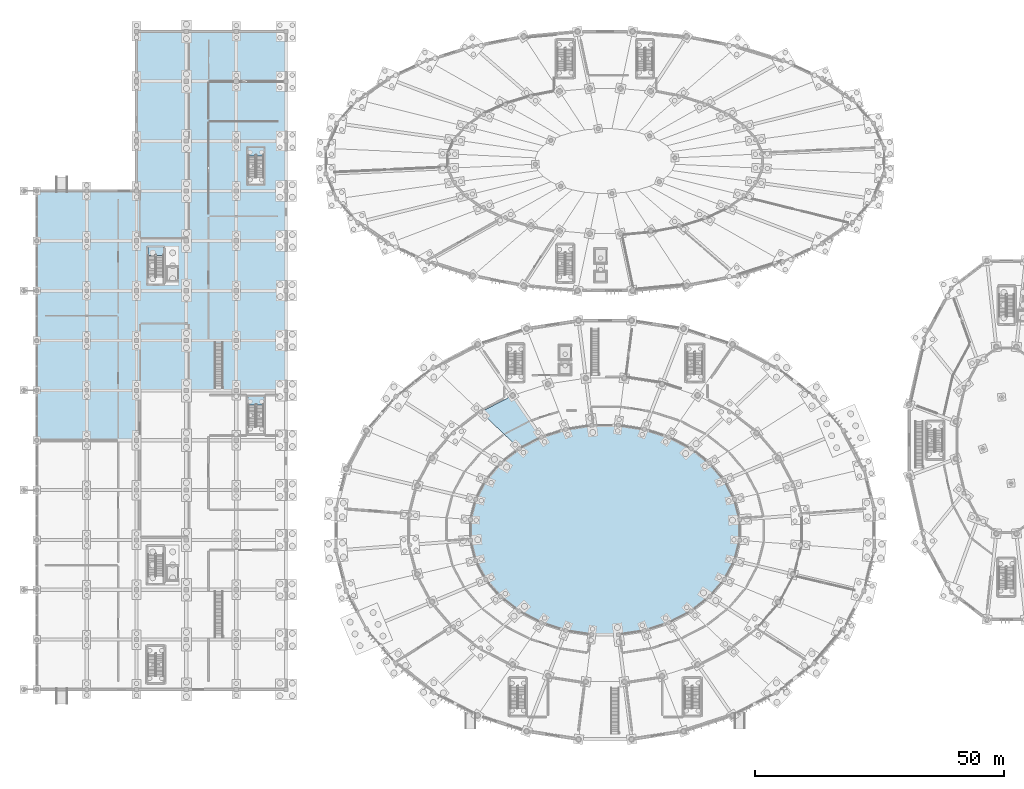
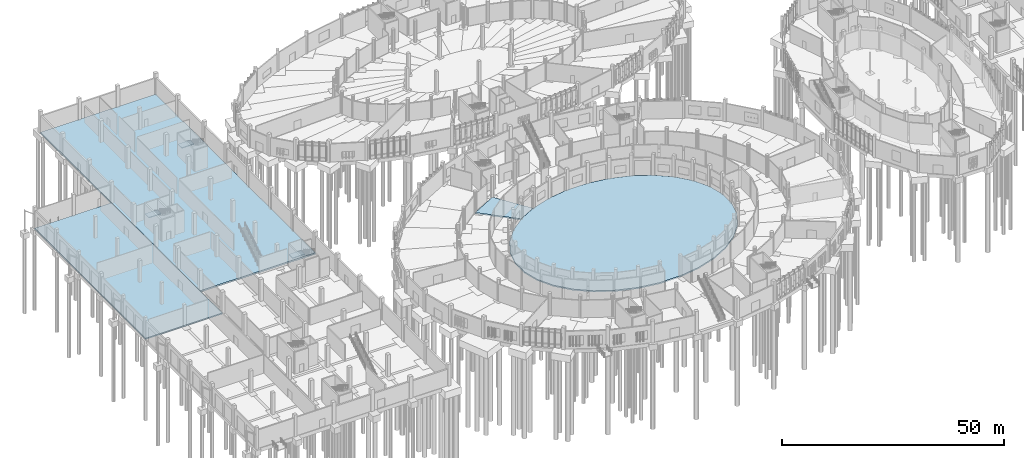
# One storey, part 59 of 140: 7 slabs, 3 elements without a shape of their own.
"""IFC4 building model written with IfcOpenShell, lengths in metres."""

from ifc_helpers import new_model, si_unit, direction, frame, origin, place, context, subcontext, project, spatial, polyline, outline, extrude, material, layer, layer_set, type_object, element, aggregate, save


model = new_model("IFC4")

# Units and contexts
model_context = context("Model", 3, precision=1e-05, world=origin(), true_north=direction((0.0, 1.0)))
body_context = subcontext(model_context, "Body", "Model", "MODEL_VIEW")
ifc_project = project(units=[si_unit("LENGTHUNIT", "METRE"), si_unit("AREAUNIT", "SQUARE_METRE"), si_unit("VOLUMEUNIT", "CUBIC_METRE"), si_unit("PLANEANGLEUNIT", "RADIAN"), si_unit("MASSUNIT", "GRAM", prefix="KILO")], contexts=[model_context])

# Site, building, storey
site_placement = place(None, origin())
site = spatial("IfcSite", under=ifc_project, at=site_placement, CompositionType="ELEMENT")
building_placement = place(site_placement, origin())
building = spatial("IfcBuilding", under=site, at=building_placement, Name="Corvandel Quay Wholesale Market", CompositionType="ELEMENT")
storey_placement = place(building_placement, origin())
storey = spatial("IfcBuildingStorey", under=building, at=storey_placement, Name="L00", CompositionType="ELEMENT", Elevation=0.0)

# Slabs
ifc_material = material(Name="Concrete C40/50", Category="concrete")
ifc_layer_1 = layer(ifc_material, 0.35009765625)
ifc_layer_set_1 = layer_set([ifc_layer_1], Name="Concrete C40/50")
slab_type_1 = type_object("IfcSlabType", Name="Ground Bearing Base Slab 350", PredefinedType="BASESLAB", material=ifc_layer_set_1)
slab_1_placement = place(storey_placement, frame((0.0, 0.0, -0.35009765625)))
element("IfcSlab", 1, at=slab_1_placement, inside=storey, type_object=slab_type_1, Name="Slab SLB-0003", PredefinedType="BASESLAB", context=body_context, shape_type="SweptSolid", body=[
    extrude(outline(polyline([(141.0, 44.068115234375), (139.9619140625, 48.125), (137.927001953125, 51.947021484375), (134.971923828125, 55.386962890625), (131.2109375, 58.31201171875), (126.7890625, 60.610107421875), (121.8759765625, 62.193115234375), (116.658935546875, 63.0), (111.341064453125, 63.0), (106.1240234375, 62.193115234375), (101.2109375, 60.610107421875), (96.7890625, 58.31201171875), (93.028076171875, 55.386962890625), (90.072998046875, 51.947021484375), (88.0380859375, 48.125), (87.0, 44.068115234375), (87.0, 39.931884765625), (88.0380859375, 35.875), (90.072998046875, 32.052978515625), (93.028076171875, 28.613037109375), (96.7890625, 25.68798828125), (101.2109375, 23.389892578125), (106.1240234375, 21.806884765625), (111.341064453125, 21.0), (116.658935546875, 21.0), (121.8759765625, 21.806884765625), (126.7890625, 23.389892578125), (131.2109375, 25.68798828125), (134.971923828125, 28.613037109375), (137.927001953125, 32.052978515625), (139.9619140625, 35.875), (141.0, 39.931884765625), (141.0, 44.068115234375)])), origin(), (0.0, 0.0, 1.0), 0.35009765625),
])
slab_2_placement = place(storey_placement, frame((0.0, 0.0, -0.35009765625)))
element("IfcSlab", 2, at=slab_2_placement, inside=storey, type_object=slab_type_1, Name="Slab SLB-0053", PredefinedType="BASESLAB", context=body_context, shape_type="SweptSolid", body=[
    extrude(outline(polyline([(95.4560546875, 68.98388671875), (89.04296875, 65.652099609375), (96.7890625, 58.31201171875), (101.2109375, 60.610107421875), (95.4560546875, 68.98388671875)])), origin(), (0.0, 0.0, 1.0), 0.35009765625),
])
slab_3_placement = place(storey_placement, frame((0.0, 0.0, -0.35009765625)))
element("IfcSlab", 3, at=slab_3_placement, inside=storey, type_object=slab_type_1, Name="Slab SLB-0449", PredefinedType="BASESLAB", context=body_context, shape_type="SweptSolid", body=[
    extrude(outline(polyline([(0.0, 60.0), (20.0, 60.0), (20.0, 110.0), (0.0, 110.0), (0.0, 60.0)])), origin(), (0.0, 0.0, 1.0), 0.35009765625),
])
ifc_layer_2 = layer(ifc_material, 0.419921875)
ifc_layer_set_2 = layer_set([ifc_layer_2], Name="Concrete C40/50")
slab_type_2 = type_object("IfcSlabType", Name="Ground Bearing Cold Store Slab 420", PredefinedType="BASESLAB", material=ifc_layer_set_2)
slab_4_placement = place(storey_placement, frame((0.0, 0.0, -0.419921875)))
element("IfcSlab", 4, at=slab_4_placement, inside=storey, type_object=slab_type_2, Name="Slab SLB-0453", PredefinedType="BASESLAB", context=body_context, shape_type="SweptSolid", body=[
    extrude(outline(polyline([(20.0, 70.0), (50.0, 70.0), (50.0, 142.0), (20.0, 142.0), (20.0, 70.0)])), origin(), (0.0, 0.0, 1.0), 0.419921875),
])

# Stair, slab
stair_type = type_object("IfcStairType", Name="Exit Stair Two-Return L00-L01 ST01", PredefinedType="USERDEFINED", material=ifc_material)
stair_1_placement = place(storey_placement, origin())
stair_1 = element("IfcStair", 5, at=stair_1_placement, inside=storey, type_object=stair_type, Name="Exit Stair STR-020", ObjectType="TWO_RETURN_STAIR", PredefinedType="USERDEFINED")
ifc_layer_3 = layer(ifc_material, 0.219970703125)
ifc_layer_set_3 = layer_set([ifc_layer_3], Name="Concrete C40/50")
slab_type_3 = type_object("IfcSlabType", Name="Precast Stair Landing LND01 220", PredefinedType="LANDING", material=ifc_layer_set_3)
slab_5_placement = place(storey_placement, frame((0.0, 0.0, 2.780029296875)))
slab_5 = element("IfcSlab", 6, at=slab_5_placement, type_object=slab_type_3, Name="Stair Landing STR-020-LND", PredefinedType="LANDING", context=body_context, shape_type="SweptSolid", body=[
    extrude(outline(polyline([(22.260009765625, 97.030029296875), (25.43994140625, 97.030029296875), (25.43994140625, 98.739990234375), (22.260009765625, 98.739990234375), (22.260009765625, 97.030029296875)])), origin(), (0.0, 0.0, 1.0), 0.219970703125),
])
aggregate(stair_1, [slab_5])

stair_2_placement = place(storey_placement, origin())
stair_2 = element("IfcStair", 7, at=stair_2_placement, inside=storey, type_object=stair_type, Name="Exit Stair STR-022", ObjectType="TWO_RETURN_STAIR", PredefinedType="USERDEFINED")
slab_6_placement = place(storey_placement, frame((0.0, 0.0, 2.780029296875)))
slab_6 = element("IfcSlab", 8, at=slab_6_placement, type_object=slab_type_3, Name="Stair Landing STR-022-LND", PredefinedType="LANDING", context=body_context, shape_type="SweptSolid", body=[
    extrude(outline(polyline([(42.360107421875, 67.030029296875), (45.5400390625, 67.030029296875), (45.5400390625, 68.739990234375), (42.360107421875, 68.739990234375), (42.360107421875, 67.030029296875)])), origin(), (0.0, 0.0, 1.0), 0.219970703125),
])
aggregate(stair_2, [slab_6])

stair_3_placement = place(storey_placement, origin())
stair_3 = element("IfcStair", 9, at=stair_3_placement, inside=storey, type_object=stair_type, Name="Exit Stair STR-025", ObjectType="TWO_RETURN_STAIR", PredefinedType="USERDEFINED")
slab_7_placement = place(storey_placement, frame((0.0, 0.0, 2.780029296875)))
slab_7 = element("IfcSlab", 10, at=slab_7_placement, type_object=slab_type_3, Name="Stair Landing STR-025-LND", PredefinedType="LANDING", context=body_context, shape_type="SweptSolid", body=[
    extrude(outline(polyline([(42.360107421875, 117.030029296875), (45.5400390625, 117.030029296875), (45.5400390625, 118.739990234375), (42.360107421875, 118.739990234375), (42.360107421875, 117.030029296875)])), origin(), (0.0, 0.0, 1.0), 0.219970703125),
])
aggregate(stair_3, [slab_7])

save(model, "model.ifc")
